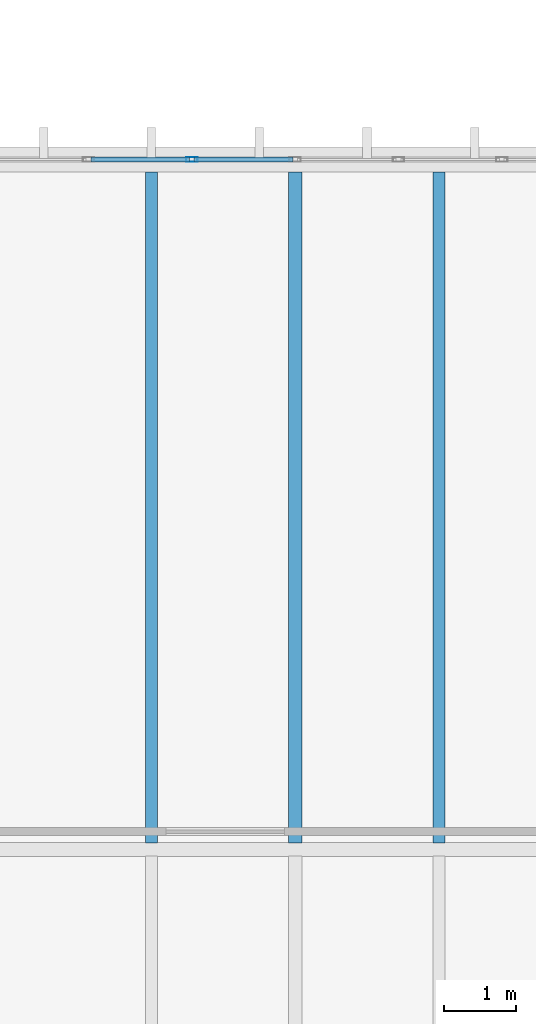
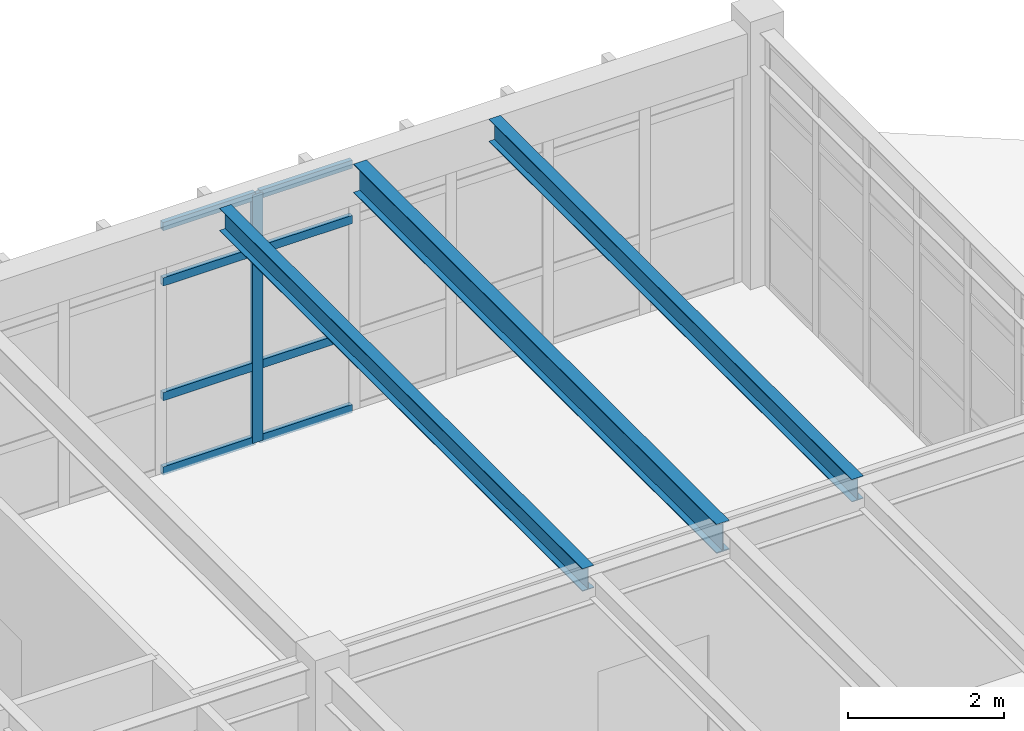
# One storey, part 20 of 83: 9 members, 3 beams, 1 element without a shape of its own.
"""IFC4 building model written with IfcOpenShell, lengths in metres."""

from ifc_helpers import new_model, si_unit, direction, frame, origin, origin_2d, place, context, subcontext, project, spatial, hollow_rectangle, i_section, extrude, material, layer, layer_set, material_profile, profile_set, type_object, element, aggregate, save


model = new_model("IFC4")

# Units and contexts
model_context = context("Model", 3, precision=1e-05, world=origin(), true_north=direction((0.0, 1.0)))
body_context = subcontext(model_context, "Body", "Model", "MODEL_VIEW")
ifc_project = project(units=[si_unit("LENGTHUNIT", "METRE"), si_unit("AREAUNIT", "SQUARE_METRE"), si_unit("VOLUMEUNIT", "CUBIC_METRE"), si_unit("PLANEANGLEUNIT", "RADIAN"), si_unit("MASSUNIT", "GRAM", prefix="KILO")], contexts=[model_context])

# Site, building, storey
site_placement = place(None, origin())
site = spatial("IfcSite", under=ifc_project, at=site_placement, CompositionType="ELEMENT")
building_placement = place(site_placement, origin())
building = spatial("IfcBuilding", under=site, at=building_placement, Name="Pandanus Reach Market Hall", CompositionType="ELEMENT")
storey_placement = place(building_placement, frame((0.0, 0.0, 10.199951171875)))
storey = spatial("IfcBuildingStorey", under=building, at=storey_placement, Name="L02", CompositionType="ELEMENT", Elevation=10.199951171875)

# Beam
ifc_material_1 = material(Name="Steel Grade 350 (350 MPa)", Category="steel")
ifc_material_profile_1 = material_profile(ifc_material_1, i_section(OverallWidth=0.18994140625, OverallDepth=0.45703125, WebThickness=0.009033203125, FlangeThickness=0.014404296875, at=origin_2d()), Name="460UB74.6", Category="LoadBearing")
ifc_profile_set_1 = profile_set([ifc_material_profile_1], Name="Steel Grade 350 (350 MPa)")
beam_type_1 = type_object("IfcBeamType", Name="BM-UB460-I", PredefinedType="BEAM", material=ifc_profile_set_1)
beam_placement = place(storey_placement, frame((18.0, 19.29296875, 3.75), z_axis=(0.0, 1.0, 0.0), x_axis=(-1.0, 0.0, 0.0)))
element("IfcBeam", 1, at=beam_placement, inside=storey, type_object=beam_type_1, Name="Food court valley beam B2.19", PredefinedType="BEAM", context=body_context, shape_type="SweptSolid", body=[
    extrude(i_section(OverallWidth=0.18994140625, OverallDepth=0.45703125, WebThickness=0.009033203125, FlangeThickness=0.014404296875, at=origin_2d()), origin(), (0.0, 0.0, 1.0), 9.333984375),
])

# Curtain wall, members
ifc_material_2 = material(Name="Bronze anodised aluminium and low-E glass", Category="aluminium")
ifc_layer = layer(ifc_material_2, 0.159912109375, Name="CW-22")
ifc_layer_set = layer_set([ifc_layer], Name="Bronze anodised aluminium and low-E glass")
curtain_wall_type = type_object("IfcCurtainWallType", Name="CW-22", PredefinedType="NOTDEFINED", material=ifc_layer_set)
curtain_wall_placement = place(storey_placement, origin())
curtain_wall = element("IfcCurtainWall", 2, at=curtain_wall_placement, inside=storey, type_object=curtain_wall_type, Name="Glazed curtain wall CW-22 CW-0066", PredefinedType="NOTDEFINED")
ifc_material_3 = material(Name="Bronze anodised aluminium", Category="aluminium")
ifc_material_profile_2 = material_profile(ifc_material_3, hollow_rectangle(XDim=0.06494140625, YDim=0.159912109375, WallThickness=0.00390625, at=origin_2d()), Name="ALU65x160", Category="LoadBearing")
ifc_profile_set_2 = profile_set([ifc_material_profile_2], Name="Bronze anodised aluminium")
member_type_1 = type_object("IfcMemberType", Name="CW-M1", PredefinedType="MULLION", material=ifc_profile_set_2)
member_1_placement = place(storey_placement, frame((16.5625, 28.800048828125, 0.0), z_axis=(0.0, 0.0, 1.0), x_axis=(0.0, 1.0, 0.0)))
member_1 = element("IfcMember", 3, at=member_1_placement, type_object=member_type_1, Name="CW-22 mullion 4", PredefinedType="MULLION", context=body_context, shape_type="SweptSolid", body=[
    extrude(hollow_rectangle(XDim=0.06494140625, YDim=0.159912109375, WallThickness=0.00390625, at=origin_2d()), origin(), (0.0, 0.0, 1.0), 3.900146484375),
])
ifc_material_profile_3 = material_profile(ifc_material_3, hollow_rectangle(XDim=0.06494140625, YDim=0.1298828125, WallThickness=0.00390625, at=origin_2d()), Name="ALU65x130", Category="LoadBearing")
ifc_profile_set_3 = profile_set([ifc_material_profile_3], Name="Bronze anodised aluminium")
member_type_2 = type_object("IfcMemberType", Name="CW-T1", PredefinedType="USERDEFINED", material=ifc_profile_set_3)
member_2_placement = place(storey_placement, frame((15.157470703125, 28.800048828125, 0.032470703125), z_axis=(1.0, 0.0, 0.0), x_axis=(0.0, 1.0, 0.0)))
member_2 = element("IfcMember", 4, at=member_2_placement, type_object=member_type_2, Name="CW-22 transom 3.1", ObjectType="TRANSOM", PredefinedType="USERDEFINED", context=body_context, shape_type="SweptSolid", body=[
    extrude(hollow_rectangle(XDim=0.06494140625, YDim=0.1298828125, WallThickness=0.00390625, at=origin_2d()), origin(), (0.0, 0.0, 1.0), 1.37255859375),
])
member_3_placement = place(storey_placement, frame((15.157470703125, 28.800048828125, 1.199951171875), z_axis=(1.0, 0.0, 0.0), x_axis=(0.0, 1.0, 0.0)))
member_3 = element("IfcMember", 5, at=member_3_placement, type_object=member_type_2, Name="CW-22 transom 3.2", ObjectType="TRANSOM", PredefinedType="USERDEFINED", context=body_context, shape_type="SweptSolid", body=[
    extrude(hollow_rectangle(XDim=0.06494140625, YDim=0.1298828125, WallThickness=0.00390625, at=origin_2d()), origin(), (0.0, 0.0, 1.0), 1.37255859375),
])
member_4_placement = place(storey_placement, frame((15.157470703125, 28.800048828125, 3.0), z_axis=(1.0, 0.0, 0.0), x_axis=(0.0, 1.0, 0.0)))
member_4 = element("IfcMember", 6, at=member_4_placement, type_object=member_type_2, Name="CW-22 transom 3.3", ObjectType="TRANSOM", PredefinedType="USERDEFINED", context=body_context, shape_type="SweptSolid", body=[
    extrude(hollow_rectangle(XDim=0.06494140625, YDim=0.1298828125, WallThickness=0.00390625, at=origin_2d()), origin(), (0.0, 0.0, 1.0), 1.37255859375),
])
member_5_placement = place(storey_placement, frame((15.157470703125, 28.800048828125, 3.867431640625), z_axis=(1.0, 0.0, 0.0), x_axis=(0.0, 1.0, 0.0)))
member_5 = element("IfcMember", 7, at=member_5_placement, type_object=member_type_2, Name="CW-22 transom 3.4", ObjectType="TRANSOM", PredefinedType="USERDEFINED", context=body_context, shape_type="SweptSolid", body=[
    extrude(hollow_rectangle(XDim=0.06494140625, YDim=0.1298828125, WallThickness=0.00390625, at=origin_2d()), origin(), (0.0, 0.0, 1.0), 1.37255859375),
])
member_6_placement = place(storey_placement, frame((16.594970703125, 28.800048828125, 0.032470703125), z_axis=(1.0, 0.0, 0.0), x_axis=(0.0, 1.0, 0.0)))
member_6 = element("IfcMember", 8, at=member_6_placement, type_object=member_type_2, Name="CW-22 transom 4.1", ObjectType="TRANSOM", PredefinedType="USERDEFINED", context=body_context, shape_type="SweptSolid", body=[
    extrude(hollow_rectangle(XDim=0.06494140625, YDim=0.1298828125, WallThickness=0.00390625, at=origin_2d()), origin(), (0.0, 0.0, 1.0), 1.37255859375),
])
member_7_placement = place(storey_placement, frame((16.594970703125, 28.800048828125, 1.199951171875), z_axis=(1.0, 0.0, 0.0), x_axis=(0.0, 1.0, 0.0)))
member_7 = element("IfcMember", 9, at=member_7_placement, type_object=member_type_2, Name="CW-22 transom 4.2", ObjectType="TRANSOM", PredefinedType="USERDEFINED", context=body_context, shape_type="SweptSolid", body=[
    extrude(hollow_rectangle(XDim=0.06494140625, YDim=0.1298828125, WallThickness=0.00390625, at=origin_2d()), origin(), (0.0, 0.0, 1.0), 1.37255859375),
])
member_8_placement = place(storey_placement, frame((16.594970703125, 28.800048828125, 3.0), z_axis=(1.0, 0.0, 0.0), x_axis=(0.0, 1.0, 0.0)))
member_8 = element("IfcMember", 10, at=member_8_placement, type_object=member_type_2, Name="CW-22 transom 4.3", ObjectType="TRANSOM", PredefinedType="USERDEFINED", context=body_context, shape_type="SweptSolid", body=[
    extrude(hollow_rectangle(XDim=0.06494140625, YDim=0.1298828125, WallThickness=0.00390625, at=origin_2d()), origin(), (0.0, 0.0, 1.0), 1.37255859375),
])
member_9_placement = place(storey_placement, frame((16.594970703125, 28.800048828125, 3.867431640625), z_axis=(1.0, 0.0, 0.0), x_axis=(0.0, 1.0, 0.0)))
member_9 = element("IfcMember", 11, at=member_9_placement, type_object=member_type_2, Name="CW-22 transom 4.4", ObjectType="TRANSOM", PredefinedType="USERDEFINED", context=body_context, shape_type="SweptSolid", body=[
    extrude(hollow_rectangle(XDim=0.06494140625, YDim=0.1298828125, WallThickness=0.00390625, at=origin_2d()), origin(), (0.0, 0.0, 1.0), 1.37255859375),
])
aggregate(curtain_wall, [member_1, member_2, member_3, member_4, member_5, member_6, member_7, member_8, member_9])

# Beams
ifc_material_profile_4 = material_profile(ifc_material_1, i_section(OverallWidth=0.1708984375, OverallDepth=0.35595703125, WebThickness=0.00732421875, FlangeThickness=0.011474609375, at=origin_2d()), Name="360UB50.7", Category="LoadBearing")
ifc_profile_set_4 = profile_set([ifc_material_profile_4], Name="Steel Grade 350 (350 MPa)")
beam_type_2 = type_object("IfcBeamType", Name="JS-UB360-I", PredefinedType="JOIST", material=ifc_profile_set_4)
for number, where, z_axis, x_axis, name in (
    (12, (16.0, 19.29296875, 3.8017578125), (0.0, 1.0, 0.0), (-1.0, 0.0, 0.0), "Secondary joist JS-UB360-I L02.1036"),
    (13, (20.0, 19.29296875, 3.8017578125), (0.0, 1.0, 0.0), (-1.0, 0.0, 0.0), "Secondary joist JS-UB360-I L02.1037"),
):
    element("IfcBeam", number, at=place(storey_placement, frame(where, z_axis=z_axis, x_axis=x_axis)), inside=storey, type_object=beam_type_2, Name=name, PredefinedType="JOIST", context=body_context, shape_type="SweptSolid", body=[
        extrude(i_section(OverallWidth=0.1708984375, OverallDepth=0.35595703125, WebThickness=0.00732421875, FlangeThickness=0.011474609375, at=origin_2d()), origin(), (0.0, 0.0, 1.0), 9.333984375),
    ])

save(model, "model.ifc")
